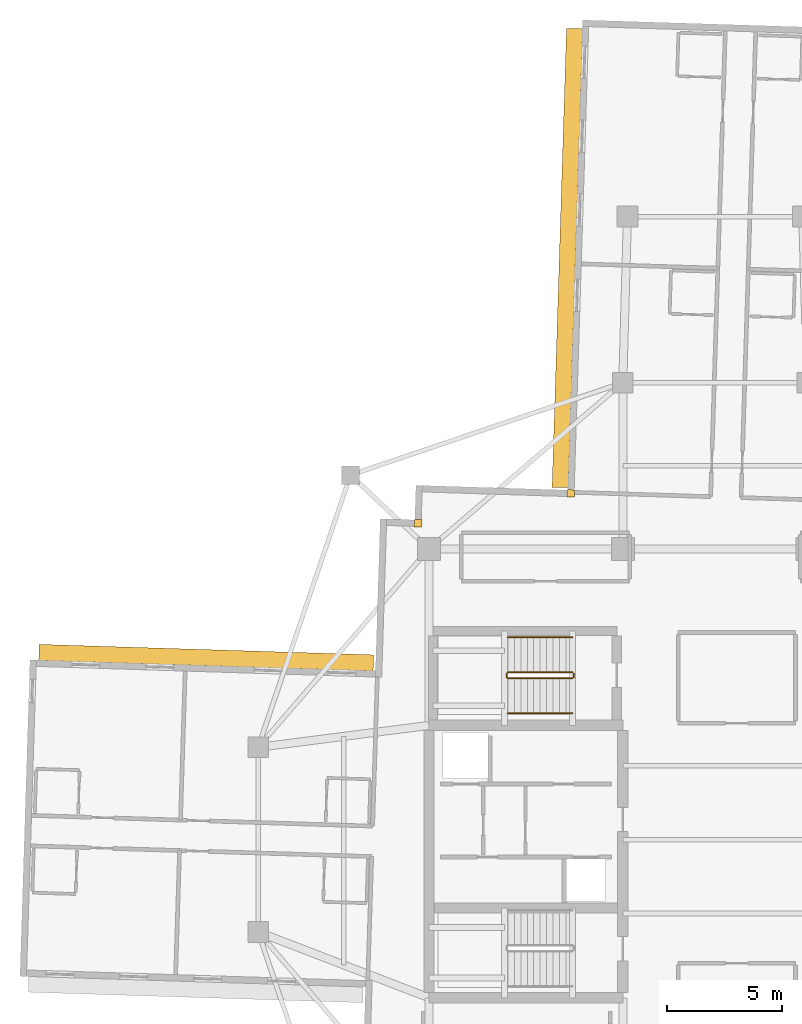
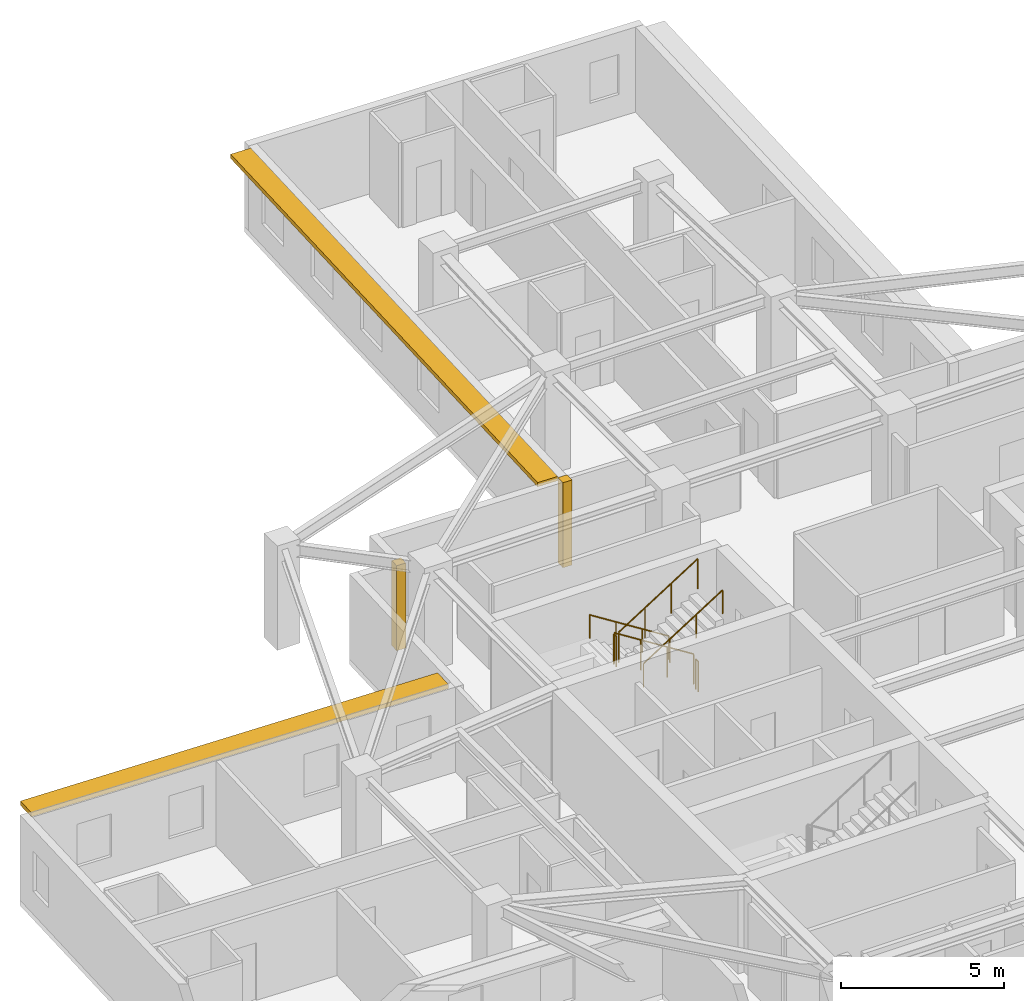
# One storey, part 11 of 12: 6 railings, 2 coverings, 2 shading devices.
"""IFC4 building model written with IfcOpenShell, lengths in metres."""

from ifc_helpers import new_model, si_unit, direction, frame, origin, origin_2d, place, context, subcontext, project, spatial, rectangle, circle, extrude, material, layer, layer_set, type_object, element, save


model = new_model("IFC4")

# Units and contexts
model_context = context("Model", 3, precision=1e-05, world=origin(), true_north=direction((0.0, 1.0)))
body_context = subcontext(model_context, "Body", "Model", "MODEL_VIEW")
ifc_project = project(units=[si_unit("LENGTHUNIT", "METRE"), si_unit("AREAUNIT", "SQUARE_METRE"), si_unit("VOLUMEUNIT", "CUBIC_METRE"), si_unit("PLANEANGLEUNIT", "RADIAN"), si_unit("MASSUNIT", "GRAM", prefix="KILO")], contexts=[model_context])

# Site, building, storey
site_placement = place(None, origin())
site = spatial("IfcSite", under=ifc_project, at=site_placement, CompositionType="ELEMENT")
building_placement = place(site_placement, origin())
building = spatial("IfcBuilding", under=site, at=building_placement, Name="Qingluan Cross Belvedere", CompositionType="ELEMENT")
storey_placement = place(building_placement, frame((0.0, 0.0, 232.5)))
storey = spatial("IfcBuildingStorey", under=building, at=storey_placement, Name="L58", CompositionType="ELEMENT", Elevation=232.5)

# Coverings
ifc_material_1 = material(Name="Precast concrete C45", Category="concrete")
ifc_layer_1 = layer(ifc_material_1, 0.1201171875, Name="ConcreteSpandrelCladding_120")
ifc_layer_set_1 = layer_set([ifc_layer_1], Name="Precast concrete C45")
covering_type = type_object("IfcCoveringType", Name="ConcreteSpandrelCladding_120", PredefinedType="CLADDING", material=ifc_layer_set_1)
for number, where, z_axis, x_axis, name in (
    (1, (-12.875732421875, 13.711181640625, 0.0), (0.0, 0.0, 1.0), (0.999506560366, -0.031410759078, 0.0), "Corner closure L58-NW1"),
    (2, (-6.251708984375, 15.00390625, 0.0), (0.0, 0.0, 1.0), (0.999506560366, -0.031410759078, 0.0), "Corner closure L58-NW2"),
):
    element("IfcCovering", number, at=place(storey_placement, frame(where, z_axis=z_axis, x_axis=x_axis)), inside=storey, type_object=covering_type, Name=name, PredefinedType="CLADDING", context=body_context, shape_type="SweptSolid", body=[
        extrude(rectangle(XDim=0.320068359375, YDim=0.320068359375, at=origin_2d()), origin(), (0.0, 0.0, 1.0), 3.179931640625),
    ])

# Shading devices
ifc_material_2 = material(Name="Precast concrete C45", Category="concrete")
ifc_layer_2 = layer(ifc_material_2, 0.139892578125, Name="ConcreteSunshadeBand_700")
ifc_layer_set_2 = layer_set([ifc_layer_2], Name="Precast concrete C45")
shading_device_type = type_object("IfcShadingDeviceType", Name="ConcreteSunshadeBand_700", PredefinedType="USERDEFINED", material=ifc_layer_set_2)
shading_device_1_placement = place(storey_placement, frame((-6.401611328125, 25.20361328125, 3.0), z_axis=(0.0, 0.0, 1.0), x_axis=(-0.031407934627, -0.999506649124, 0.0)))
element("IfcShadingDevice", 3, at=shading_device_1_placement, inside=storey, type_object=shading_device_type, Name="Concrete SUNSHADE L58-NB", ObjectType="SUNSHADE", PredefinedType="USERDEFINED", context=body_context, shape_type="SweptSolid", body=[
    extrude(rectangle(XDim=19.89990234375, YDim=0.699951171875, at=origin_2d()), origin(), (0.0, 0.0, 1.0), 0.159912109375),
])
shading_device_2_placement = place(storey_placement, frame((-22.052978515625, 7.88671875, 3.0), z_axis=(0.0, 0.0, 1.0), x_axis=(-0.999506645453, 0.031408051437, 0.0)))
element("IfcShadingDevice", 4, at=shading_device_2_placement, inside=storey, type_object=shading_device_type, Name="Concrete SUNSHADE L58-WA", ObjectType="SUNSHADE", PredefinedType="USERDEFINED", context=body_context, shape_type="SweptSolid", body=[
    extrude(rectangle(XDim=14.5, YDim=0.699951171875, at=origin_2d()), origin(), (0.0, 0.0, 1.0), 0.159912109375),
])

# Railings
ifc_material_3 = material(Name="Brushed stainless steel tubular handrail", Category="steel")
railing_type_1 = type_object("IfcRailingType", Name="StairPitchHandrail_900", PredefinedType="HANDRAIL", material=ifc_material_3)
railing_1_placement = place(storey_placement, frame((-6.179931640625, 8.77001953125, 0.17724609375)))
element("IfcRailing", 5, at=railing_1_placement, inside=storey, type_object=railing_type_1, Name="L58 ST3 stair handrail 1", PredefinedType="HANDRAIL", context=body_context, shape_type="SweptSolid", body=[
    extrude(circle(Radius=0.02392578125, at=origin_2d()), frame((0.0, 0.0, 0.8759765625), z_axis=(-0.844908973607, 0.0, 0.534910110503), x_axis=(0.0, -1.0, 0.0)), (0.0, 0.0, 1.0), 3.31396484375),
    extrude(circle(Radius=0.02099609375, at=origin_2d()), origin(), (0.0, 0.0, 1.0), 0.851806640625),
    extrude(circle(Radius=0.02099609375, at=origin_2d()), frame((-0.933349609375, 0.0, 0.5908203125)), (0.0, 0.0, 1.0), 0.851806640625),
    extrude(circle(Radius=0.02099609375, at=origin_2d()), frame((-1.86669921875, 0.0, 1.181884765625)), (0.0, 0.0, 1.0), 0.851806640625),
    extrude(circle(Radius=0.02099609375, at=origin_2d()), frame((-2.800048828125, 0.0, 1.772705078125)), (0.0, 0.0, 1.0), 0.851806640625),
])
railing_2_placement = place(storey_placement, frame((-8.97998046875, 5.469970703125, 2.127197265625)))
element("IfcRailing", 6, at=railing_2_placement, inside=storey, type_object=railing_type_1, Name="L58 ST3 stair handrail 2", PredefinedType="HANDRAIL", context=body_context, shape_type="SweptSolid", body=[
    extrude(circle(Radius=0.02392578125, at=origin_2d()), frame((0.0, 0.0, 0.8759765625), z_axis=(0.844908973607, 0.0, 0.534910110503), x_axis=(0.0, 1.0, 0.0)), (0.0, 0.0, 1.0), 3.31396484375),
    extrude(circle(Radius=0.02099609375, at=origin_2d()), origin(), (0.0, 0.0, 1.0), 0.851806640625),
    extrude(circle(Radius=0.02099609375, at=origin_2d()), frame((0.933349609375, 0.0, 0.5908203125)), (0.0, 0.0, 1.0), 0.851806640625),
    extrude(circle(Radius=0.02099609375, at=origin_2d()), frame((1.86669921875, 0.0, 1.181884765625)), (0.0, 0.0, 1.0), 0.851806640625),
    extrude(circle(Radius=0.02099609375, at=origin_2d()), frame((2.800048828125, 0.0, 1.772705078125)), (0.0, 0.0, 1.0), 0.851806640625),
])
ifc_material_4 = material(Name="Painted steel stair well guard", Category="steel")
railing_type_2 = type_object("IfcRailingType", Name="StairWellGuard_1150", PredefinedType="BALUSTRADE", material=ifc_material_4)
railing_3_placement = place(storey_placement, frame((-6.179931640625, 7.25, 0.17724609375)))
element("IfcRailing", 7, at=railing_3_placement, inside=storey, type_object=railing_type_2, Name="L58 ST3 stair guard 1", PredefinedType="BALUSTRADE", context=body_context, shape_type="SweptSolid", body=[
    extrude(circle(Radius=0.02392578125, at=origin_2d()), frame((0.0, 0.0, 1.1259765625), z_axis=(-0.844908973607, 0.0, 0.534910110503), x_axis=(0.0, -1.0, 0.0)), (0.0, 0.0, 1.0), 3.31396484375),
    extrude(circle(Radius=0.02099609375, at=origin_2d()), origin(), (0.0, 0.0, 1.0), 1.101806640625),
    extrude(circle(Radius=0.02099609375, at=origin_2d()), frame((-0.933349609375, 0.0, 0.5908203125)), (0.0, 0.0, 1.0), 1.101806640625),
    extrude(circle(Radius=0.02099609375, at=origin_2d()), frame((-1.86669921875, 0.0, 1.181884765625)), (0.0, 0.0, 1.0), 1.101806640625),
    extrude(circle(Radius=0.02099609375, at=origin_2d()), frame((-2.800048828125, 0.0, 1.772705078125)), (0.0, 0.0, 1.0), 1.101806640625),
])
railing_4_placement = place(storey_placement, frame((-9.030029296875, 7.199951171875, 1.949951171875)))
element("IfcRailing", 8, at=railing_4_placement, inside=storey, type_object=railing_type_2, Name="L58 ST3 stair guard 2", PredefinedType="BALUSTRADE", context=body_context, shape_type="SweptSolid", body=[
    extrude(circle(Radius=0.02392578125, at=origin_2d()), frame((0.0, 0.0, 1.1259765625), z_axis=(0.0, -1.0, 0.0), x_axis=(1.0, 0.0, 0.0)), (0.0, 0.0, 1.0), 0.159912109375),
    extrude(circle(Radius=0.02099609375, at=origin_2d()), origin(), (0.0, 0.0, 1.0), 1.101806640625),
    extrude(circle(Radius=0.02099609375, at=origin_2d()), frame((0.0, -0.159912109375, 0.0)), (0.0, 0.0, 1.0), 1.101806640625),
])
railing_5_placement = place(storey_placement, frame((-8.97998046875, 6.989990234375, 2.127197265625)))
element("IfcRailing", 9, at=railing_5_placement, inside=storey, type_object=railing_type_2, Name="L58 ST3 stair guard 3", PredefinedType="BALUSTRADE", context=body_context, shape_type="SweptSolid", body=[
    extrude(circle(Radius=0.02392578125, at=origin_2d()), frame((0.0, 0.0, 1.1259765625), z_axis=(0.844908973607, 0.0, 0.534910110503), x_axis=(0.0, 1.0, 0.0)), (0.0, 0.0, 1.0), 3.31396484375),
    extrude(circle(Radius=0.02099609375, at=origin_2d()), origin(), (0.0, 0.0, 1.0), 1.101806640625),
    extrude(circle(Radius=0.02099609375, at=origin_2d()), frame((0.933349609375, 0.0, 0.5908203125)), (0.0, 0.0, 1.0), 1.101806640625),
    extrude(circle(Radius=0.02099609375, at=origin_2d()), frame((1.86669921875, 0.0, 1.181884765625)), (0.0, 0.0, 1.0), 1.101806640625),
    extrude(circle(Radius=0.02099609375, at=origin_2d()), frame((2.800048828125, 0.0, 1.772705078125)), (0.0, 0.0, 1.0), 1.101806640625),
])
railing_6_placement = place(storey_placement, frame((-6.1298828125, 7.199951171875, 0.0)))
element("IfcRailing", 10, at=railing_6_placement, inside=storey, type_object=railing_type_2, Name="L58 ST3 stair guard 4", PredefinedType="BALUSTRADE", context=body_context, shape_type="SweptSolid", body=[
    extrude(circle(Radius=0.02392578125, at=origin_2d()), frame((0.0, 0.0, 1.1259765625), z_axis=(0.0, -1.0, 0.0), x_axis=(1.0, 0.0, 0.0)), (0.0, 0.0, 1.0), 0.159912109375),
    extrude(circle(Radius=0.02099609375, at=origin_2d()), origin(), (0.0, 0.0, 1.0), 1.101806640625),
    extrude(circle(Radius=0.02099609375, at=origin_2d()), frame((0.0, -0.159912109375, 0.0)), (0.0, 0.0, 1.0), 1.101806640625),
])

save(model, "model.ifc")
